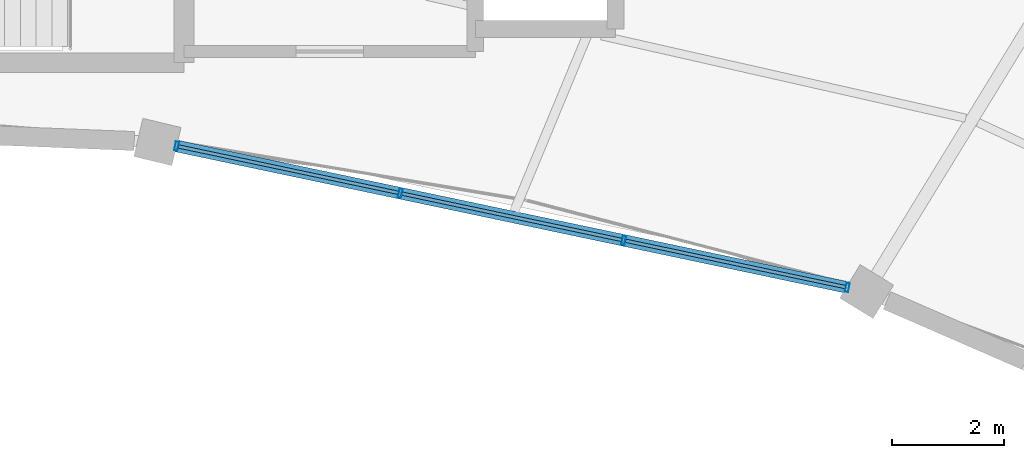
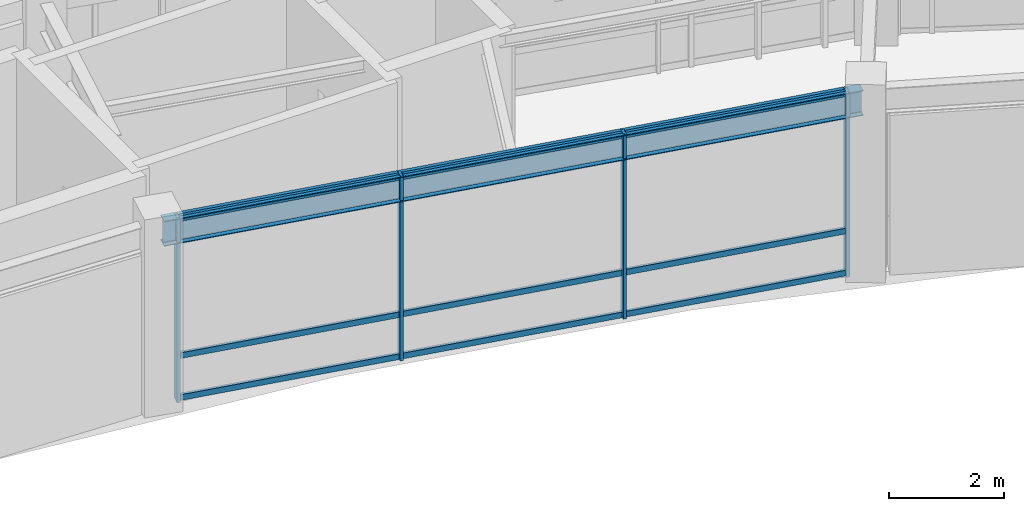
# One storey, part 77 of 152: 13 members, 1 beam, 1 element without a shape of its own.
"""IFC4 building model written with IfcOpenShell, lengths in metres."""

from ifc_helpers import new_model, si_unit, direction, frame, origin, origin_2d, place, context, subcontext, project, spatial, hollow_rectangle, i_section, extrude, material, material_profile, profile_set, type_object, element, aggregate, save


model = new_model("IFC4")

# Units and contexts
model_context = context("Model", 3, precision=1e-05, world=origin(), true_north=direction((0.0, 1.0)))
body_context = subcontext(model_context, "Body", "Model", "MODEL_VIEW")
ifc_project = project(units=[si_unit("LENGTHUNIT", "METRE"), si_unit("AREAUNIT", "SQUARE_METRE"), si_unit("VOLUMEUNIT", "CUBIC_METRE"), si_unit("PLANEANGLEUNIT", "RADIAN"), si_unit("MASSUNIT", "GRAM", prefix="KILO"), si_unit("THERMODYNAMICTEMPERATUREUNIT", "KELVIN"), si_unit("POWERUNIT", "WATT")], contexts=[model_context])

# Site, building, storey
site_placement = place(None, origin())
site = spatial("IfcSite", under=ifc_project, at=site_placement, CompositionType="ELEMENT")
building_placement = place(site_placement, origin())
building = spatial("IfcBuilding", under=site, at=building_placement, Name="Darbajah Civic Hall", CompositionType="ELEMENT")
storey_placement = place(building_placement, frame((0.0, 0.0, 5.39990234375)))
storey = spatial("IfcBuildingStorey", under=building, at=storey_placement, Name="L01", CompositionType="ELEMENT", Elevation=5.39990234375)

# Curtain wall, members
ifc_material_1 = material(Name="Anodised Bronze Aluminium and Low-E Glazing", Category="aluminium")
curtain_wall_type = type_object("IfcCurtainWallType", Name="Unitised Curtain Wall CW-22 12200x3900", PredefinedType="USERDEFINED", material=ifc_material_1)
curtain_wall_placement = place(storey_placement, origin())
curtain_wall = element("IfcCurtainWall", 1, at=curtain_wall_placement, inside=storey, type_object=curtain_wall_type, Name="L01 unitised curtain wall CW-V1I-L01-03", ObjectType="UNITISED CURTAIN WALL", PredefinedType="USERDEFINED")
ifc_material_2 = material(Name="Anodised Bronze Aluminium", Category="aluminium")
ifc_material_profile_1 = material_profile(ifc_material_2, hollow_rectangle(XDim=0.06005859375, YDim=0.159912109375, WallThickness=0.00341796875, at=origin_2d()), Name="ALU MULLION 60x160")
ifc_profile_set_1 = profile_set([ifc_material_profile_1], Name="Anodised Bronze Aluminium")
member_type_1 = type_object("IfcMemberType", Name="ALU MULLION 60x160", PredefinedType="MULLION", material=ifc_profile_set_1)
member_1_placement = place(storey_placement, frame((111.64111328125, 108.886474609375, 0.0), z_axis=(0.0, 0.0, 1.0), x_axis=(-0.978472980779, 0.206374964291, 0.0)))
member_1 = element("IfcMember", 2, at=member_1_placement, type_object=member_type_1, Name="CW-V1I-L01-03 mullion 1", PredefinedType="MULLION", context=body_context, shape_type="SweptSolid", body=[
    extrude(hollow_rectangle(XDim=0.06005859375, YDim=0.159912109375, WallThickness=0.00341796875, at=origin_2d()), origin(), (0.0, 0.0, 1.0), 3.920166015625),
])
member_2_placement = place(storey_placement, frame((107.650390625, 109.72802734375, 0.0), z_axis=(0.0, 0.0, 1.0), x_axis=(-0.978472980779, 0.206374964291, 0.0)))
member_2 = element("IfcMember", 3, at=member_2_placement, type_object=member_type_1, Name="CW-V1I-L01-03 mullion 2", PredefinedType="MULLION", context=body_context, shape_type="SweptSolid", body=[
    extrude(hollow_rectangle(XDim=0.06005859375, YDim=0.159912109375, WallThickness=0.00341796875, at=origin_2d()), origin(), (0.0, 0.0, 1.0), 3.920166015625),
])
member_3_placement = place(storey_placement, frame((103.659912109375, 110.569580078125, 0.0), z_axis=(0.0, 0.0, 1.0), x_axis=(-0.978472980779, 0.206374964291, 0.0)))
member_3 = element("IfcMember", 4, at=member_3_placement, type_object=member_type_1, Name="CW-V1I-L01-03 mullion 3", PredefinedType="MULLION", context=body_context, shape_type="SweptSolid", body=[
    extrude(hollow_rectangle(XDim=0.06005859375, YDim=0.159912109375, WallThickness=0.00341796875, at=origin_2d()), origin(), (0.0, 0.0, 1.0), 3.920166015625),
])
member_4_placement = place(storey_placement, frame((99.669189453125, 111.4111328125, 0.0), z_axis=(0.0, 0.0, 1.0), x_axis=(-0.978472980779, 0.206374964291, 0.0)))
member_4 = element("IfcMember", 5, at=member_4_placement, type_object=member_type_1, Name="CW-V1I-L01-03 mullion 4", PredefinedType="MULLION", context=body_context, shape_type="SweptSolid", body=[
    extrude(hollow_rectangle(XDim=0.06005859375, YDim=0.159912109375, WallThickness=0.00341796875, at=origin_2d()), origin(), (0.0, 0.0, 1.0), 3.920166015625),
])
ifc_material_profile_2 = material_profile(ifc_material_2, hollow_rectangle(XDim=0.06005859375, YDim=0.1201171875, WallThickness=0.003173828125, at=origin_2d()), Name="ALU TRANSOM 60x120")
ifc_profile_set_2 = profile_set([ifc_material_profile_2], Name="Anodised Bronze Aluminium")
member_type_2 = type_object("IfcMemberType", Name="ALU TRANSOM 60x120", PredefinedType="USERDEFINED", material=ifc_profile_set_2)
member_5_placement = place(storey_placement, frame((111.606689453125, 108.893798828125, 0.06005859375), z_axis=(-0.97848705062, 0.20630824455, 0.0), x_axis=(-0.20630824455, -0.97848705062, 0.0)))
member_5 = element("IfcMember", 6, at=member_5_placement, type_object=member_type_2, Name="CW-V1I-L01-03 transom 1.1", ObjectType="TRANSOM", PredefinedType="USERDEFINED", context=body_context, shape_type="SweptSolid", body=[
    extrude(hollow_rectangle(XDim=0.06005859375, YDim=0.1201171875, WallThickness=0.003173828125, at=origin_2d()), origin(), (0.0, 0.0, 1.0), 4.008056640625),
])
member_6_placement = place(storey_placement, frame((111.606689453125, 108.893798828125, 0.9501953125), z_axis=(-0.97848705062, 0.20630824455, 0.0), x_axis=(-0.20630824455, -0.97848705062, 0.0)))
member_6 = element("IfcMember", 7, at=member_6_placement, type_object=member_type_2, Name="CW-V1I-L01-03 transom 1.2", ObjectType="TRANSOM", PredefinedType="USERDEFINED", context=body_context, shape_type="SweptSolid", body=[
    extrude(hollow_rectangle(XDim=0.06005859375, YDim=0.1201171875, WallThickness=0.003173828125, at=origin_2d()), origin(), (0.0, 0.0, 1.0), 4.008056640625),
])
member_7_placement = place(storey_placement, frame((111.606689453125, 108.893798828125, 3.860107421875), z_axis=(-0.97848705062, 0.20630824455, 0.0), x_axis=(-0.20630824455, -0.97848705062, 0.0)))
member_7 = element("IfcMember", 8, at=member_7_placement, type_object=member_type_2, Name="CW-V1I-L01-03 transom 1.3", ObjectType="TRANSOM", PredefinedType="USERDEFINED", context=body_context, shape_type="SweptSolid", body=[
    extrude(hollow_rectangle(XDim=0.06005859375, YDim=0.1201171875, WallThickness=0.003173828125, at=origin_2d()), origin(), (0.0, 0.0, 1.0), 4.008056640625),
])
member_8_placement = place(storey_placement, frame((107.6162109375, 109.7353515625, 0.06005859375), z_axis=(-0.978477346572, 0.206354263939, 0.0), x_axis=(-0.206354263939, -0.978477346572, 0.0)))
member_8 = element("IfcMember", 9, at=member_8_placement, type_object=member_type_2, Name="CW-V1I-L01-03 transom 2.1", ObjectType="TRANSOM", PredefinedType="USERDEFINED", context=body_context, shape_type="SweptSolid", body=[
    extrude(hollow_rectangle(XDim=0.06005859375, YDim=0.1201171875, WallThickness=0.003173828125, at=origin_2d()), origin(), (0.0, 0.0, 1.0), 4.00830078125),
])
member_9_placement = place(storey_placement, frame((107.6162109375, 109.7353515625, 0.9501953125), z_axis=(-0.978477346572, 0.206354263939, 0.0), x_axis=(-0.206354263939, -0.978477346572, 0.0)))
member_9 = element("IfcMember", 10, at=member_9_placement, type_object=member_type_2, Name="CW-V1I-L01-03 transom 2.2", ObjectType="TRANSOM", PredefinedType="USERDEFINED", context=body_context, shape_type="SweptSolid", body=[
    extrude(hollow_rectangle(XDim=0.06005859375, YDim=0.1201171875, WallThickness=0.003173828125, at=origin_2d()), origin(), (0.0, 0.0, 1.0), 4.00830078125),
])
member_10_placement = place(storey_placement, frame((107.6162109375, 109.7353515625, 3.860107421875), z_axis=(-0.978477346572, 0.206354263939, 0.0), x_axis=(-0.206354263939, -0.978477346572, 0.0)))
member_10 = element("IfcMember", 11, at=member_10_placement, type_object=member_type_2, Name="CW-V1I-L01-03 transom 2.3", ObjectType="TRANSOM", PredefinedType="USERDEFINED", context=body_context, shape_type="SweptSolid", body=[
    extrude(hollow_rectangle(XDim=0.06005859375, YDim=0.1201171875, WallThickness=0.003173828125, at=origin_2d()), origin(), (0.0, 0.0, 1.0), 4.00830078125),
])
member_11_placement = place(storey_placement, frame((103.62548828125, 110.576904296875, 0.06005859375), z_axis=(-0.978474752776, 0.20636656265, 0.0), x_axis=(-0.20636656265, -0.978474752776, 0.0)))
member_11 = element("IfcMember", 12, at=member_11_placement, type_object=member_type_2, Name="CW-V1I-L01-03 transom 3.1", ObjectType="TRANSOM", PredefinedType="USERDEFINED", context=body_context, shape_type="SweptSolid", body=[
    extrude(hollow_rectangle(XDim=0.06005859375, YDim=0.1201171875, WallThickness=0.003173828125, at=origin_2d()), origin(), (0.0, 0.0, 1.0), 4.008056640625),
])
member_12_placement = place(storey_placement, frame((103.62548828125, 110.576904296875, 0.9501953125), z_axis=(-0.978474752776, 0.20636656265, 0.0), x_axis=(-0.20636656265, -0.978474752776, 0.0)))
member_12 = element("IfcMember", 13, at=member_12_placement, type_object=member_type_2, Name="CW-V1I-L01-03 transom 3.2", ObjectType="TRANSOM", PredefinedType="USERDEFINED", context=body_context, shape_type="SweptSolid", body=[
    extrude(hollow_rectangle(XDim=0.06005859375, YDim=0.1201171875, WallThickness=0.003173828125, at=origin_2d()), origin(), (0.0, 0.0, 1.0), 4.008056640625),
])
member_13_placement = place(storey_placement, frame((103.62548828125, 110.576904296875, 3.860107421875), z_axis=(-0.978474752776, 0.20636656265, 0.0), x_axis=(-0.20636656265, -0.978474752776, 0.0)))
member_13 = element("IfcMember", 14, at=member_13_placement, type_object=member_type_2, Name="CW-V1I-L01-03 transom 3.3", ObjectType="TRANSOM", PredefinedType="USERDEFINED", context=body_context, shape_type="SweptSolid", body=[
    extrude(hollow_rectangle(XDim=0.06005859375, YDim=0.1201171875, WallThickness=0.003173828125, at=origin_2d()), origin(), (0.0, 0.0, 1.0), 4.008056640625),
])
aggregate(curtain_wall, [member_1, member_2, member_3, member_4, member_5, member_6, member_7, member_8, member_9, member_10, member_11, member_12, member_13])

# Beam
ifc_material_3 = material(Name="Steel S355JR", Category="steel")
ifc_material_profile_3 = material_profile(ifc_material_3, i_section(OverallWidth=0.209228515625, OverallDepth=0.533203125, WebThickness=0.010009765625, FlangeThickness=0.015625, FilletRadius=0.0126953125, at=origin_2d()), Name="UB 533x210x92")
ifc_profile_set_3 = profile_set([ifc_material_profile_3], Name="Steel S355JR")
beam_type = type_object("IfcBeamType", Name="UB 533x210x92", PredefinedType="BEAM", material=ifc_profile_set_3)
beam_placement = place(storey_placement, frame((111.906982421875, 108.830322265625, 3.653564453125), z_axis=(-0.978476951565, 0.206356136949, 0.0), x_axis=(-0.206356136949, -0.978476951565, 0.0)))
element("IfcBeam", 15, at=beam_placement, inside=storey, type_object=beam_type, Name="L01 beam SB-533", PredefinedType="BEAM", context=body_context, shape_type="SweptSolid", body=[
    extrude(i_section(OverallWidth=0.209228515625, OverallDepth=0.533203125, WebThickness=0.010009765625, FlangeThickness=0.015625, FilletRadius=0.0126953125, at=origin_2d()), origin(), (0.0, 0.0, 1.0), 12.77880859375),
])

save(model, "model.ifc")
